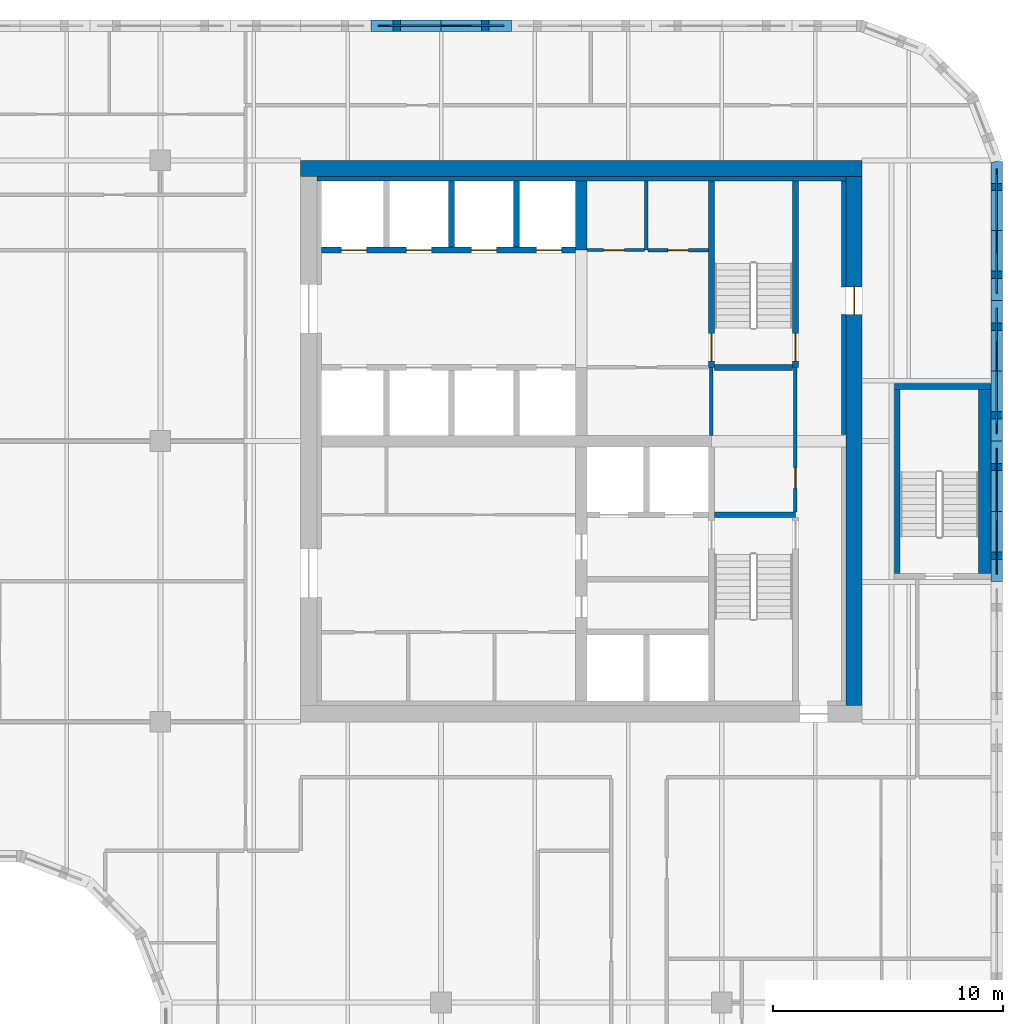
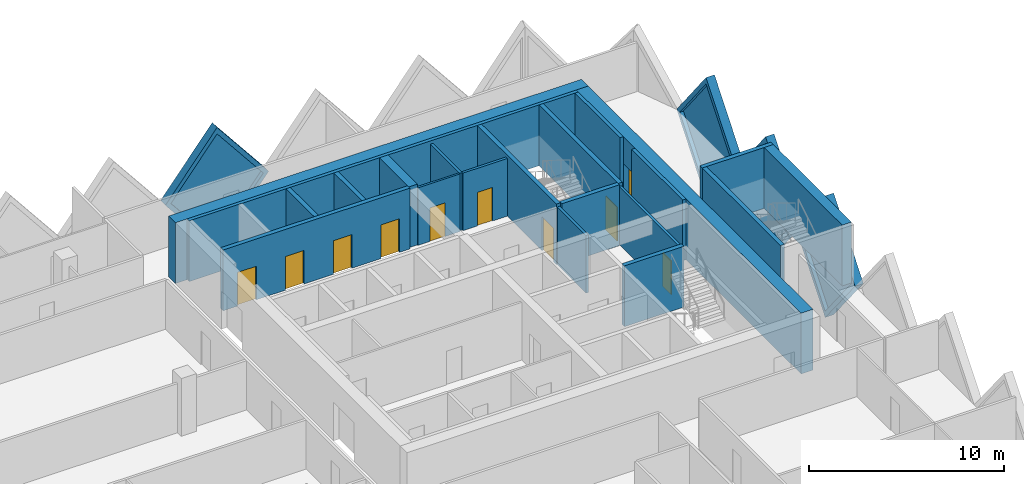
# One storey, part 9 of 12: 25 walls, 10 doors, 4 plates, 14 openings.
"""IFC4 building model written with IfcOpenShell, lengths in metres."""

import ifcopenshell
import ifcopenshell.guid

model = None  # the IFC model being written
_history = None  # IfcOwnerHistory: only IFC2X3 demands one
_inside = {}  # id of a spatial element -> (the spatial element, [elements in it])
_under = {}  # id of a project, library or spatial element -> (it, [spatial elements below it])
_declared = {}  # id of a project -> (the project, [libraries it declares])
_typed = {}  # id of a type object -> (the type object, [elements of that type])
_made_of = {}  # id of a material, layer set ... -> (it, [elements and type objects made of it])


def new_model(schema):
    """Start an empty IFC model of exactly this schema.

    Asked for "IFC4X3", IfcOpenShell would pick the latest addendum, in which some entities
    have other attributes; the version numbers below select the first issue.
    IFC2X3 requires an IfcOwnerHistory on every rooted entity: one is made here for all.
    """
    global model, _history
    if schema == "IFC4X3":
        model = ifcopenshell.file(schema_version=(4, 3, 0, 0))
    else:
        model = ifcopenshell.file(schema=schema)
    _inside.clear()
    _under.clear()
    _declared.clear()
    _typed.clear()
    _made_of.clear()
    _history = None
    if model.schema == "IFC2X3":
        org = make("IfcOrganization", Name="unknown")
        user = make(
            "IfcPersonAndOrganization",
            ThePerson=make("IfcPerson", FamilyName="unknown"),
            TheOrganization=org,
        )
        app = make(
            "IfcApplication",
            ApplicationDeveloper=org,
            Version="unknown",
            ApplicationFullName="unknown",
            ApplicationIdentifier="unknown",
        )
        _history = make(
            "IfcOwnerHistory",
            OwningUser=user,
            OwningApplication=app,
            ChangeAction="ADDED",
            CreationDate=0,
        )
    return model


def make(cls, **values):
    """One entity of the class cls with the attributes given. An attribute that is None is left unset."""
    return model.create_entity(
        cls, **{name: value for name, value in values.items() if value is not None}
    )


def rooted(cls, **values):
    """An entity with a GlobalId (a new one), such as an element, a storey or a relation."""
    return make(cls, GlobalId=ifcopenshell.guid.new(), OwnerHistory=_history, **values)


def si_unit(unit_type, name, prefix=None):
    """IfcSIUnit, for example si_unit("LENGTHUNIT", "METRE", prefix="MILLI")."""
    return make("IfcSIUnit", UnitType=unit_type, Prefix=prefix, Name=name)


def assignment(units):
    """IfcUnitAssignment: the units of a project."""
    return None if units is None else make("IfcUnitAssignment", Units=units)


def point(xyz):
    """IfcCartesianPoint."""
    return None if xyz is None else make("IfcCartesianPoint", Coordinates=xyz)


def direction(xyz):
    """IfcDirection."""
    return None if xyz is None else make("IfcDirection", DirectionRatios=xyz)


def frame(location, z_axis=None, x_axis=None):
    """IfcAxis2Placement3D, a coordinate frame: its origin and axes. An axis left out is left unset."""
    return make(
        "IfcAxis2Placement3D",
        Location=point(location),
        Axis=direction(z_axis),
        RefDirection=direction(x_axis),
    )


def frame_2d(location, x_axis=None):
    """IfcAxis2Placement2D, a coordinate frame in the plane: its origin and x axis."""
    return make(
        "IfcAxis2Placement2D", Location=point(location), RefDirection=direction(x_axis)
    )


def origin():
    """The frame at (0, 0, 0) with its axes left unset."""
    return frame((0.0, 0.0, 0.0))


def place(relative_to, where):
    """IfcLocalPlacement: puts the frame where relative to a parent placement (None: the world)."""
    return make(
        "IfcLocalPlacement", PlacementRelTo=relative_to, RelativePlacement=where
    )


def context(
    kind, dimensions, precision=None, world=None, true_north=None, identifier=None
):
    """IfcGeometricRepresentationContext, for example the 3D "Model" context."""
    return make(
        "IfcGeometricRepresentationContext",
        ContextIdentifier=identifier,
        ContextType=kind,
        CoordinateSpaceDimension=dimensions,
        Precision=precision,
        WorldCoordinateSystem=world,
        TrueNorth=true_north,
    )


def subcontext(parent, identifier, kind, view, scale=None):
    """IfcGeometricRepresentationSubContext, for example "Body" below "Model"."""
    return make(
        "IfcGeometricRepresentationSubContext",
        ContextIdentifier=identifier,
        ContextType=kind,
        ParentContext=parent,
        TargetScale=scale,
        TargetView=view,
    )


def project(units=None, contexts=None):
    """IfcProject with its units and contexts."""
    return rooted(
        "IfcProject",
        Name="project",
        RepresentationContexts=contexts,
        UnitsInContext=assignment(units),
    )


def spatial(cls, under=None, at=None, **own):
    """A site, building, storey or space (cls), placed at a placement, below another one or the project."""
    s = rooted(cls, ObjectPlacement=at, **own)
    if under is not None:
        _under.setdefault(under.id(), (under, []))[1].append(s)
    return s


def polyline(points):
    """IfcPolyline through the points."""
    return make("IfcPolyline", Points=[point(p) for p in points])


def profile(cls, at=None, kind="AREA", **sizes):
    """A parametric profile (cls). Its sizes go by their IFC names, for example OverallWidth=200.0."""
    return make(cls, ProfileType=kind, Position=at, **sizes)


def rectangle(**sizes):
    """IfcRectangleProfileDef."""
    return profile("IfcRectangleProfileDef", **sizes)


def outline(outer, holes=None, kind="AREA"):
    """IfcArbitraryClosedProfileDef: a profile drawn as a closed curve; with holes, ...WithVoids."""
    if holes is None:
        return make("IfcArbitraryClosedProfileDef", ProfileType=kind, OuterCurve=outer)
    return make(
        "IfcArbitraryProfileDefWithVoids",
        ProfileType=kind,
        OuterCurve=outer,
        InnerCurves=holes,
    )


def extrude(swept, where, along, depth):
    """IfcExtrudedAreaSolid: the profile swept, set in the frame where, extruded along a direction by depth."""
    return make(
        "IfcExtrudedAreaSolid",
        SweptArea=swept,
        Position=where,
        ExtrudedDirection=direction(along),
        Depth=depth,
    )


def faces_of(points, faces, orient=None, outer=None):
    """IfcFace entities. A face is a list of loops; a loop is a list of indices into points, from 0.

    orient and outer hold one flag for each loop. By default every Orientation is true, the
    first loop of a face is its IfcFaceOuterBound and the others are IfcFaceBound.
    """
    made = []
    for i, loops in enumerate(faces):
        bounds = []
        for j, loop in enumerate(loops):
            is_outer = j == 0 if outer is None else outer[i][j]
            bounds.append(
                make(
                    "IfcFaceOuterBound" if is_outer else "IfcFaceBound",
                    Bound=make("IfcPolyLoop", Polygon=[points[k] for k in loop]),
                    Orientation=True if orient is None else orient[i][j],
                )
            )
        made.append(make("IfcFace", Bounds=bounds))
    return made


def faceted_brep(points, faces, orient=None, outer=None, voids=None):
    """IfcFacetedBrep: a solid bounded by flat faces; with voids (closed shells), ...WithVoids."""
    shared = [point(p) for p in points]
    hull = make("IfcClosedShell", CfsFaces=faces_of(shared, faces, orient, outer))
    if voids is None:
        return make("IfcFacetedBrep", Outer=hull)
    return make(
        "IfcFacetedBrepWithVoids",
        Outer=hull,
        Voids=[
            make(cls, CfsFaces=faces_of(shared, fs, o, b)) for cls, fs, o, b in voids
        ],
    )


def shape(context_of_items, identifier, shape_type, items):
    """IfcShapeRepresentation: the items that make up one representation, for example the "Body"."""
    return make(
        "IfcShapeRepresentation",
        ContextOfItems=context_of_items,
        RepresentationIdentifier=identifier,
        RepresentationType=shape_type,
        Items=items,
    )


def source(mapping_origin, context_of_items, identifier, shape_type, items):
    """IfcRepresentationMap: a shape defined once, which mapped items show again and again."""
    return make(
        "IfcRepresentationMap",
        MappingOrigin=mapping_origin,
        MappedRepresentation=shape(context_of_items, identifier, shape_type, items),
    )


def transform(
    local_origin,
    x_axis=None,
    y_axis=None,
    z_axis=None,
    scale=None,
    scale2=None,
    scale3=None,
    uniform=True,
):
    """IfcCartesianTransformationOperator3D, or its non-uniform kind. x_axis, y_axis, z_axis: its Axis1, 2, 3."""
    if uniform:
        return make(
            "IfcCartesianTransformationOperator3D",
            Axis1=direction(x_axis),
            Axis2=direction(y_axis),
            LocalOrigin=point(local_origin),
            Scale=scale,
            Axis3=direction(z_axis),
        )
    return make(
        "IfcCartesianTransformationOperator3DnonUniform",
        Axis1=direction(x_axis),
        Axis2=direction(y_axis),
        LocalOrigin=point(local_origin),
        Scale=scale,
        Axis3=direction(z_axis),
        Scale2=scale2,
        Scale3=scale3,
    )


def mapped(mapping_source, mapping_target):
    """IfcMappedItem: shows the shape of a source again, moved by a transform."""
    return make(
        "IfcMappedItem", MappingSource=mapping_source, MappingTarget=mapping_target
    )


def material(Name=None, Category=None):
    """IfcMaterial."""
    return make("IfcMaterial", Name=Name, Category=Category)


def layer(
    of_material, thickness, ventilated=None, Name=None, Category=None, Priority=None
):
    """IfcMaterialLayer: one layer of a wall or slab, of a material (None: an air gap)."""
    return make(
        "IfcMaterialLayer",
        Material=of_material,
        LayerThickness=thickness,
        IsVentilated=ventilated,
        Name=Name,
        Category=Category,
        Priority=Priority,
    )


def layer_set(layers, Name=None):
    """IfcMaterialLayerSet."""
    return make("IfcMaterialLayerSet", MaterialLayers=layers, LayerSetName=Name)


def made_of(thing, what):
    """Note that an element or type object is made of a material, layer set ...; save() writes the relation."""
    if what is not None:
        _made_of.setdefault(what.id(), (what, []))[1].append(thing)
    return thing


def type_object(cls, material=None, **own):
    """A type object (cls), such as IfcWallType, which elements share."""
    return made_of(rooted(cls, **own), material)


def element(
    cls,
    number,
    at=None,
    inside=None,
    cuts=None,
    type_object=None,
    material=None,
    context=None,
    identifier="Body",
    shape_type=None,
    held_by="IfcProductDefinitionShape",
    body=None,
    shapes=None,
    **own,
):
    """One element of the class cls, such as IfcWall. Its Tag is "e" and its number.

    at: its placement. inside: the storey or other place that contains it. cuts: it is an
    opening in that element (IfcRelVoidsElement). A single representation is given by context,
    identifier, shape_type and body (its items); several are given by shapes. held_by: the class
    of the entity that holds the representations. save() writes the other relations.
    """
    e = rooted(cls, Tag="e%d" % number, ObjectPlacement=at, **own)
    if body is not None:
        shapes = [shape(context, identifier, shape_type, body)]
    if shapes is not None:
        e.Representation = make(held_by, Representations=shapes)
    if inside is not None:
        _inside.setdefault(inside.id(), (inside, []))[1].append(e)
    if cuts is not None:
        rooted(
            "IfcRelVoidsElement", RelatingBuildingElement=cuts, RelatedOpeningElement=e
        )
    if type_object is not None:
        _typed.setdefault(type_object.id(), (type_object, []))[1].append(e)
    return made_of(e, material)


def fill(opening, filler):
    """IfcRelFillsElement: the door or window that sits in an opening."""
    return rooted(
        "IfcRelFillsElement",
        RelatingOpeningElement=opening,
        RelatedBuildingElement=filler,
    )


def aggregate(whole, parts):
    """IfcRelAggregates: a whole, such as a stair, and the parts it consists of."""
    return rooted("IfcRelAggregates", RelatingObject=whole, RelatedObjects=parts)


def save(model, path):
    """Write the relations noted so far, then the file.

    IfcRelAggregates (storeys below a building ...), IfcRelContainedInSpatialStructure (elements
    in a storey), IfcRelDefinesByType, IfcRelAssociatesMaterial and IfcRelDeclares: one each for
    every whole, place, type object, material and project.
    """
    for whole, parts in _under.values():
        aggregate(whole, parts)
    for where, things in _inside.values():
        rooted(
            "IfcRelContainedInSpatialStructure",
            RelatedElements=things,
            RelatingStructure=where,
        )
    for kind, things in _typed.values():
        rooted("IfcRelDefinesByType", RelatedObjects=things, RelatingType=kind)
    for what, things in _made_of.values():
        rooted("IfcRelAssociatesMaterial", RelatedObjects=things, RelatingMaterial=what)
    for by, libraries in _declared.values():
        rooted("IfcRelDeclares", RelatingContext=by, RelatedDefinitions=libraries)
    model.write(path)


model = new_model("IFC4")

# Units and contexts
model_context = context("Model", 3, precision=1e-05, world=origin(), true_north=direction((0.0, 1.0)))
body_context = subcontext(model_context, "Body", "Model", "MODEL_VIEW")
ifc_project = project(units=[si_unit("LENGTHUNIT", "METRE"), si_unit("AREAUNIT", "SQUARE_METRE"), si_unit("VOLUMEUNIT", "CUBIC_METRE"), si_unit("PLANEANGLEUNIT", "RADIAN"), si_unit("MASSUNIT", "GRAM", prefix="KILO")], contexts=[model_context])

# Site, building, storey
site_placement = place(None, origin())
site = spatial("IfcSite", under=ifc_project, at=site_placement, CompositionType="ELEMENT")
building_placement = place(site_placement, origin())
building = spatial("IfcBuilding", under=site, at=building_placement, Name="Tessera Gate Towers", CompositionType="ELEMENT")
storey_placement = place(building_placement, frame((0.0, 0.0, 143.0)))
storey = spatial("IfcBuildingStorey", under=building, at=storey_placement, Name="L35", CompositionType="ELEMENT", Elevation=143.0)

# Wall, openings, doors
ifc_material_1 = material(Name="Concrete C40/50", Category="concrete")
ifc_layer_1 = layer(ifc_material_1, 0.25)
ifc_layer_set_1 = layer_set([ifc_layer_1], Name="CORE ENCLOSURE WALL 250")
wall_type_1 = type_object("IfcWallType", Name="CORE ENCLOSURE WALL 250", PredefinedType="SOLIDWALL", material=ifc_layer_set_1)
wall_1_placement = place(storey_placement, frame((42.449951171875, 44.89990234375, 0.0), z_axis=(0.0, 0.0, 1.0), x_axis=(-1.0, 0.0, 0.0)))
wall_1 = element("IfcWall", 1, at=wall_1_placement, inside=storey, type_object=wall_type_1, Name="L35 shaft and stair enclosure wall", PredefinedType="SOLIDWALL", context=body_context, shape_type="SweptSolid", body=[
    extrude(rectangle(XDim=11.050048828125, YDim=0.25, at=frame_2d((5.52490234375, 0.0))), origin(), (0.0, 0.0, 1.0), 3.800048828125),
])
shared_shape_1 = source(origin(), body_context, "Body", "SweptSolid", [
    extrude(rectangle(XDim=1.10009765625, YDim=2.10009765625, at=frame_2d((0.550048828125, 1.050048828125))), frame((0.0, 0.135009765625, 0.0), z_axis=(0.0, -1.0, 0.0), x_axis=(1.0, 0.0, 0.0)), (0.0, 0.0, 1.0), 0.27001953125),
])
opening_1_placement = place(wall_1_placement, frame((9.08740234375, 0.0, 0.0)))
opening_1 = element("IfcOpeningElement", 2, at=opening_1_placement, cuts=wall_1, Name="Opening LD-HR5", PredefinedType="OPENING", context=body_context, shape_type="MappedRepresentation", body=[
    mapped(shared_shape_1, transform((0.0, 0.0, 0.0), scale=1.0)),
])
opening_2_placement = place(wall_1_placement, frame((6.262451171875, 0.0, 0.0)))
opening_2 = element("IfcOpeningElement", 3, at=opening_2_placement, cuts=wall_1, Name="Opening LD-HR6", PredefinedType="OPENING", context=body_context, shape_type="MappedRepresentation", body=[
    mapped(shared_shape_1, transform((0.0, 0.0, 0.0), scale=1.0)),
])
opening_3_placement = place(wall_1_placement, frame((3.4375, 0.0, 0.0)))
opening_3 = element("IfcOpeningElement", 4, at=opening_3_placement, cuts=wall_1, Name="Opening LD-HR7", PredefinedType="OPENING", context=body_context, shape_type="MappedRepresentation", body=[
    mapped(shared_shape_1, transform((0.0, 0.0, 0.0), scale=1.0)),
])
opening_4_placement = place(wall_1_placement, frame((0.612548828125, 0.0, 0.0)))
opening_4 = element("IfcOpeningElement", 5, at=opening_4_placement, cuts=wall_1, Name="Opening LD-HR8", PredefinedType="OPENING", context=body_context, shape_type="MappedRepresentation", body=[
    mapped(shared_shape_1, transform((0.0, 0.0, 0.0), scale=1.0)),
])
ifc_material_2 = material(Name="Stainless steel", Category="steel")
door_type_1 = type_object("IfcDoorType", Name="CORE DOOR LD 1100x2100", OperationType="DOUBLE_DOOR_SLIDING", PredefinedType="DOOR", material=ifc_material_2)
shared_shape_2 = source(origin(), body_context, "Body", "SweptSolid", [
    extrude(rectangle(XDim=1.10009765625, YDim=2.10009765625, at=frame_2d((0.550048828125, 1.050048828125))), frame((0.0, 0.02490234375, 0.0), z_axis=(0.0, -1.0, 0.0), x_axis=(1.0, 0.0, 0.0)), (0.0, 0.0, 1.0), 0.050048828125),
])
door_1_placement = place(opening_1_placement, origin())
door_1 = element("IfcDoor", 6, at=door_1_placement, inside=storey, type_object=door_type_1, Name="Landing door HR5 L35", OperationType="DOUBLE_DOOR_SLIDING", OverallHeight=2.10009765625, OverallWidth=1.10009765625, PredefinedType="DOOR", context=body_context, shape_type="MappedRepresentation", body=[
    mapped(shared_shape_2, transform((0.0, 0.0, 0.0), scale=1.0)),
])
fill(opening_1, door_1)
door_2_placement = place(opening_2_placement, origin())
door_2 = element("IfcDoor", 7, at=door_2_placement, inside=storey, type_object=door_type_1, Name="Landing door HR6 L35", OperationType="DOUBLE_DOOR_SLIDING", OverallHeight=2.10009765625, OverallWidth=1.10009765625, PredefinedType="DOOR", context=body_context, shape_type="MappedRepresentation", body=[
    mapped(shared_shape_2, transform((0.0, 0.0, 0.0), scale=1.0)),
])
fill(opening_2, door_2)
door_3_placement = place(opening_3_placement, origin())
door_3 = element("IfcDoor", 8, at=door_3_placement, inside=storey, type_object=door_type_1, Name="Landing door HR7 L35", OperationType="DOUBLE_DOOR_SLIDING", OverallHeight=2.10009765625, OverallWidth=1.10009765625, PredefinedType="DOOR", context=body_context, shape_type="MappedRepresentation", body=[
    mapped(shared_shape_2, transform((0.0, 0.0, 0.0), scale=1.0)),
])
fill(opening_3, door_3)
door_4_placement = place(opening_4_placement, origin())
door_4 = element("IfcDoor", 9, at=door_4_placement, inside=storey, type_object=door_type_1, Name="Landing door HR8 L35", OperationType="DOUBLE_DOOR_SLIDING", OverallHeight=2.10009765625, OverallWidth=1.10009765625, PredefinedType="DOOR", context=body_context, shape_type="MappedRepresentation", body=[
    mapped(shared_shape_2, transform((0.0, 0.0, 0.0), scale=1.0)),
])
fill(opening_4, door_4)

# Wall
wall_2_placement = place(storey_placement, frame((48.47509765625, 33.39990234375, 0.0), z_axis=(0.0, 0.0, 1.0), x_axis=(1.0, 0.0, 0.0)))
element("IfcWall", 10, at=wall_2_placement, inside=storey, type_object=wall_type_1, Name="L35 shaft and stair enclosure wall", PredefinedType="SOLIDWALL", context=body_context, shape_type="SweptSolid", body=[
    extrude(rectangle(XDim=3.52490234375, YDim=0.25, at=frame_2d((1.762451171875, 0.0))), origin(), (0.0, 0.0, 1.0), 3.800048828125),
])

# Wall, opening, door
wall_3_placement = place(storey_placement, frame((48.35009765625, 47.89990234375, 0.0), z_axis=(0.0, 0.0, 1.0), x_axis=(0.0, -1.0, 0.0)))
wall_3 = element("IfcWall", 11, at=wall_3_placement, inside=storey, type_object=wall_type_1, Name="L35 shaft and stair enclosure wall", PredefinedType="SOLIDWALL", context=body_context, shape_type="SweptSolid", body=[
    extrude(rectangle(XDim=8.099853515625, YDim=0.25, at=frame_2d((4.0498046875, 0.0))), origin(), (0.0, 0.0, 1.0), 3.800048828125),
])
shared_shape_3 = source(origin(), body_context, "Body", "SweptSolid", [
    extrude(rectangle(XDim=1.199951171875, YDim=2.10009765625, at=frame_2d((0.60009765625, 1.050048828125))), frame((0.0, 0.135009765625, 0.0), z_axis=(0.0, -1.0, 0.0), x_axis=(1.0, 0.0, 0.0)), (0.0, 0.0, 1.0), 0.27001953125),
])
opening_5_placement = place(wall_3_placement, frame((6.625, 0.0, 0.0)))
opening_5 = element("IfcOpeningElement", 12, at=opening_5_placement, cuts=wall_3, Name="Opening SD-ST2-1", PredefinedType="OPENING", context=body_context, shape_type="MappedRepresentation", body=[
    mapped(shared_shape_3, transform((0.0, 0.0, 0.0), scale=1.0)),
])
ifc_material_3 = material(Name="Hollow steel fire door", Category="steel")
door_type_2 = type_object("IfcDoorType", Name="CORE DOOR SD 1200x2100", OperationType="NOTDEFINED", PredefinedType="DOOR", material=ifc_material_3)
shared_shape_4 = source(origin(), body_context, "Body", "SweptSolid", [
    extrude(rectangle(XDim=1.199951171875, YDim=2.10009765625, at=frame_2d((0.60009765625, 1.050048828125))), frame((0.0, 0.02490234375, 0.0), z_axis=(0.0, -1.0, 0.0), x_axis=(1.0, 0.0, 0.0)), (0.0, 0.0, 1.0), 0.050048828125),
])
door_5_placement = place(opening_5_placement, origin())
door_5 = element("IfcDoor", 13, at=door_5_placement, inside=storey, type_object=door_type_2, Name="Stair door", OperationType="SINGLE_SWING_RIGHT", OverallHeight=2.10009765625, OverallWidth=1.199951171875, PredefinedType="DOOR", context=body_context, shape_type="MappedRepresentation", body=[
    mapped(shared_shape_4, transform((0.0, 0.0, 0.0), scale=1.0)),
])
fill(opening_5, door_5)

wall_4_placement = place(storey_placement, frame((52.0, 39.800048828125, 0.0), z_axis=(0.0, 0.0, 1.0), x_axis=(0.0, 1.0, 0.0)))
wall_4 = element("IfcWall", 14, at=wall_4_placement, inside=storey, type_object=wall_type_1, Name="L35 shaft and stair enclosure wall", PredefinedType="SOLIDWALL", context=body_context, shape_type="SweptSolid", body=[
    extrude(rectangle(XDim=8.099853515625, YDim=0.25, at=frame_2d((4.0498046875, 0.0))), origin(), (0.0, 0.0, 1.0), 3.800048828125),
])
opening_6_placement = place(wall_4_placement, frame((0.27490234375, 0.0, 0.0)))
opening_6 = element("IfcOpeningElement", 15, at=opening_6_placement, cuts=wall_4, Name="Opening SD-ST2-2", PredefinedType="OPENING", context=body_context, shape_type="MappedRepresentation", body=[
    mapped(shared_shape_3, transform((0.0, 0.0, 0.0), scale=1.0)),
])
door_6_placement = place(opening_6_placement, origin())
door_6 = element("IfcDoor", 16, at=door_6_placement, inside=storey, type_object=door_type_2, Name="Stair door", OperationType="SINGLE_SWING_LEFT", OverallHeight=2.10009765625, OverallWidth=1.199951171875, PredefinedType="DOOR", context=body_context, shape_type="MappedRepresentation", body=[
    mapped(shared_shape_4, transform((0.0, 0.0, 0.0), scale=1.0)),
])
fill(opening_6, door_6)

# Walls
wall_5_placement = place(storey_placement, frame((48.47509765625, 39.800048828125, 0.0), z_axis=(0.0, 0.0, 1.0), x_axis=(1.0, 0.0, 0.0)))
element("IfcWall", 17, at=wall_5_placement, inside=storey, type_object=wall_type_1, Name="L35 shaft and stair enclosure wall", PredefinedType="SOLIDWALL", context=body_context, shape_type="SweptSolid", body=[
    extrude(rectangle(XDim=3.39990234375, YDim=0.25, at=frame_2d((1.699951171875, 0.0))), origin(), (0.0, 0.0, 1.0), 3.800048828125),
])
for number, where, z_axis, x_axis, name in (
    (18, (37.050048828125, 45.02490234375, 0.0), (0.0, 0.0, 1.0), (0.0, 1.0, 0.0), "L35 shaft and stair enclosure wall"),
    (19, (39.875, 45.02490234375, 0.0), (0.0, 0.0, 1.0), (0.0, 1.0, 0.0), "L35 shaft and stair enclosure wall"),
):
    element("IfcWall", number, at=place(storey_placement, frame(where, z_axis=z_axis, x_axis=x_axis)), inside=storey, type_object=wall_type_1, Name=name, PredefinedType="SOLIDWALL", context=body_context, shape_type="SweptSolid", body=[
        extrude(rectangle(XDim=2.875, YDim=0.25, at=frame_2d((1.4375, 0.0))), origin(), (0.0, 0.0, 1.0), 3.800048828125),
    ])
wall_6_placement = place(storey_placement, frame((56.425048828125, 30.85009765625, 0.0), z_axis=(0.0, 0.0, 1.0), x_axis=(0.0, 1.0, 0.0)))
element("IfcWall", 20, at=wall_6_placement, inside=storey, type_object=wall_type_1, Name="L35 ST5 enclosure wall", PredefinedType="SOLIDWALL", context=body_context, shape_type="SweptSolid", body=[
    extrude(rectangle(XDim=8.0, YDim=0.25, at=frame_2d((4.0, 0.0))), origin(), (0.0, 0.0, 1.0), 3.800048828125),
])
wall_7_placement = place(storey_placement, frame((56.300048828125, 38.97509765625, 0.0), z_axis=(0.0, 0.0, 1.0), x_axis=(1.0, 0.0, 0.0)))
element("IfcWall", 21, at=wall_7_placement, inside=storey, type_object=wall_type_1, Name="L35 ST5 enclosure wall", PredefinedType="SOLIDWALL", context=body_context, shape_type="SweptSolid", body=[
    extrude(rectangle(XDim=4.199951171875, YDim=0.25, at=frame_2d((2.10009765625, 0.0))), origin(), (0.0, 0.0, 1.0), 3.800048828125),
])
ifc_material_4 = material(Name="Concrete C40/50", Category="concrete")
ifc_layer_2 = layer(ifc_material_4, 0.550048828125)
ifc_layer_set_2 = layer_set([ifc_layer_2], Name="CORE ENCLOSURE WALL 550")
wall_type_2 = type_object("IfcWallType", Name="CORE ENCLOSURE WALL 550", PredefinedType="SOLIDWALL", material=ifc_layer_set_2)
wall_8_placement = place(storey_placement, frame((60.22509765625, 38.85009765625, 0.0), z_axis=(0.0, 0.0, 1.0), x_axis=(0.0, -1.0, 0.0)))
element("IfcWall", 22, at=wall_8_placement, inside=storey, type_object=wall_type_2, Name="L35 ST5 enclosure wall", PredefinedType="SOLIDWALL", context=body_context, shape_type="SweptSolid", body=[
    extrude(rectangle(XDim=8.0, YDim=0.550048828125, at=frame_2d((4.0, 0.0))), origin(), (0.0, 0.0, 1.0), 3.800048828125),
])

# Wall, opening, door
ifc_material_5 = material(Name="Gypsum board on steel studs", Category="steel")
ifc_layer_3 = layer(ifc_material_5, 0.1201171875)
ifc_layer_set_3 = layer_set([ifc_layer_3], Name="CORE PARTITION 120")
wall_type_3 = type_object("IfcWallType", Name="CORE PARTITION 120", PredefinedType="PARTITIONING", material=ifc_layer_set_3)
wall_9_placement = place(storey_placement, frame((42.949951171875, 44.89990234375, 0.0), z_axis=(0.0, 0.0, 1.0), x_axis=(1.0, 0.0, 0.0)))
wall_9 = element("IfcWall", 23, at=wall_9_placement, inside=storey, type_object=wall_type_3, Name="L35 core partition", PredefinedType="PARTITIONING", context=body_context, shape_type="SweptSolid", body=[
    extrude(rectangle(XDim=2.5, YDim=0.1201171875, at=frame_2d((1.25, 0.0))), origin(), (0.0, 0.0, 1.0), 3.60009765625),
])
shared_shape_5 = source(origin(), body_context, "Body", "SweptSolid", [
    extrude(rectangle(XDim=0.89990234375, YDim=2.10009765625, at=frame_2d((0.449951171875, 1.050048828125))), frame((0.0, 0.070068359375, 0.0), z_axis=(0.0, -1.0, 0.0), x_axis=(1.0, 0.0, 0.0)), (0.0, 0.0, 1.0), 0.14013671875),
])
opening_7_placement = place(wall_9_placement, frame((0.71240234375, 0.0, 0.0)))
opening_7 = element("IfcOpeningElement", 24, at=opening_7_placement, cuts=wall_9, Name="Opening RD-T1-23-14", PredefinedType="OPENING", context=body_context, shape_type="MappedRepresentation", body=[
    mapped(shared_shape_5, transform((0.0, 0.0, 0.0), scale=1.0)),
])
ifc_material_6 = material(Name="Hollow steel fire door", Category="steel")
door_type_3 = type_object("IfcDoorType", Name="CORE DOOR RD 900x2100", OperationType="NOTDEFINED", PredefinedType="DOOR", material=ifc_material_6)
shared_shape_6 = source(origin(), body_context, "Body", "SweptSolid", [
    extrude(rectangle(XDim=0.89990234375, YDim=2.10009765625, at=frame_2d((0.449951171875, 1.050048828125))), frame((0.0, 0.02490234375, 0.0), z_axis=(0.0, -1.0, 0.0), x_axis=(1.0, 0.0, 0.0)), (0.0, 0.0, 1.0), 0.050048828125),
])
door_7_placement = place(opening_7_placement, origin())
door_7 = element("IfcDoor", 25, at=door_7_placement, inside=storey, type_object=door_type_3, Name="Core room door", OperationType="SINGLE_SWING_LEFT", OverallHeight=2.10009765625, OverallWidth=0.89990234375, PredefinedType="DOOR", context=body_context, shape_type="MappedRepresentation", body=[
    mapped(shared_shape_6, transform((0.0, 0.0, 0.0), scale=1.0)),
])
fill(opening_7, door_7)

# Wall
ifc_material_7 = material(Name="Concrete C60/75", Category="concrete")
ifc_layer_4 = layer(ifc_material_7, 0.699951171875)
ifc_layer_set_4 = layer_set([ifc_layer_4], Name="CORE SHEAR WALL 700 C60/75")
wall_type_4 = type_object("IfcWallType", Name="CORE SHEAR WALL 700 C60/75", PredefinedType="SHEAR", material=ifc_layer_set_4)
wall_10_placement = place(storey_placement, frame((30.5, 48.449951171875, 0.0), z_axis=(0.0, 0.0, 1.0), x_axis=(1.0, 0.0, 0.0)))
element("IfcWall", 26, at=wall_10_placement, inside=storey, type_object=wall_type_4, Name="Core wall N L35", PredefinedType="SHEAR", context=body_context, shape_type="SweptSolid", body=[
    extrude(rectangle(XDim=24.39990234375, YDim=0.699951171875, at=frame_2d((12.199951171875, 0.0))), origin(), (0.0, 0.0, 1.0), 3.800048828125),
])

# Wall, opening, door
wall_11_placement = place(storey_placement, frame((54.550048828125, 48.10009765625, 0.0), z_axis=(0.0, 0.0, 1.0), x_axis=(0.0, -1.0, 0.0)))
wall_11 = element("IfcWall", 27, at=wall_11_placement, inside=storey, type_object=wall_type_4, Name="Core wall E L35", PredefinedType="SHEAR", context=body_context, shape_type="SweptSolid", body=[
    extrude(rectangle(XDim=23.0, YDim=0.699951171875, at=frame_2d((11.5, 0.0))), origin(), (0.0, 0.0, 1.0), 3.800048828125),
])
shared_shape_7 = source(origin(), body_context, "Body", "SweptSolid", [
    extrude(rectangle(XDim=1.199951171875, YDim=2.10009765625, at=frame_2d((0.60009765625, 1.050048828125))), frame((0.0, 0.35986328125, 0.0), z_axis=(0.0, -1.0, 0.0), x_axis=(1.0, 0.0, 0.0)), (0.0, 0.0, 1.0), 0.719970703125),
])
opening_8_placement = place(wall_11_placement, frame((4.800048828125, 0.0, 0.0)))
opening_8 = element("IfcOpeningElement", 28, at=opening_8_placement, cuts=wall_11, Name="Opening ED-T1-23-04", PredefinedType="OPENING", context=body_context, shape_type="MappedRepresentation", body=[
    mapped(shared_shape_7, transform((0.0, 0.0, 0.0), scale=1.0)),
])
ifc_material_8 = material(Name="Hollow steel fire door", Category="steel")
door_type_4 = type_object("IfcDoorType", Name="CORE DOOR ED 1200x2100", OperationType="NOTDEFINED", PredefinedType="DOOR", material=ifc_material_8)
door_8_placement = place(opening_8_placement, origin())
door_8 = element("IfcDoor", 29, at=door_8_placement, inside=storey, type_object=door_type_4, Name="Core exit door", OperationType="SINGLE_SWING_LEFT", OverallHeight=2.10009765625, OverallWidth=1.199951171875, PredefinedType="DOOR", context=body_context, shape_type="MappedRepresentation", body=[
    mapped(shared_shape_4, transform((0.0, 0.0, 0.0), scale=1.0)),
])
fill(opening_8, door_8)

# Walls
ifc_material_9 = material(Name="Concrete C60/75", Category="concrete")
ifc_layer_5 = layer(ifc_material_9, 0.5)
ifc_layer_set_5 = layer_set([ifc_layer_5], Name="CORE SPINE WALL 500 C60/75")
wall_type_5 = type_object("IfcWallType", Name="CORE SPINE WALL 500 C60/75", PredefinedType="SHEAR", material=ifc_layer_set_5)
wall_12_placement = place(storey_placement, frame((42.699951171875, 44.89990234375, 0.0), z_axis=(0.0, 0.0, 1.0), x_axis=(0.0, 1.0, 0.0)))
element("IfcWall", 30, at=wall_12_placement, inside=storey, type_object=wall_type_5, Name="Core wall spine L35", PredefinedType="SHEAR", context=body_context, shape_type="SweptSolid", body=[
    extrude(rectangle(XDim=3.0, YDim=0.5, at=frame_2d((1.5, 0.0))), origin(), (0.0, 0.0, 1.0), 3.800048828125),
])
ifc_material_10 = material(Name="Concrete C60/75", Category="concrete")
ifc_layer_6 = layer(ifc_material_10, 0.199951171875)
ifc_layer_set_6 = layer_set([ifc_layer_6], Name="CORE WALL THICKENING 200")
wall_type_6 = type_object("IfcWallType", Name="CORE WALL THICKENING 200", PredefinedType="SOLIDWALL", material=ifc_layer_set_6)
wall_13_placement = place(storey_placement, frame((31.199951171875, 48.0, 0.0), z_axis=(0.0, 0.0, 1.0), x_axis=(1.0, 0.0, 0.0)))
element("IfcWall", 31, at=wall_13_placement, inside=storey, type_object=wall_type_6, Name="Core wall thickening N L35", PredefinedType="SOLIDWALL", context=body_context, shape_type="SweptSolid", body=[
    extrude(rectangle(XDim=23.0, YDim=0.199951171875, at=frame_2d((11.5, 0.0))), origin(), (0.0, 0.0, 1.0), 3.800048828125),
])
wall_14_placement = place(storey_placement, frame((54.10009765625, 36.8798828125, 0.0), z_axis=(0.0, 0.0, 1.0), x_axis=(0.0, 1.0, 0.0)))
element("IfcWall", 32, at=wall_14_placement, inside=storey, type_object=wall_type_6, Name="Core wall thickening E L35", PredefinedType="SOLIDWALL", context=body_context, shape_type="SweptSolid", body=[
    extrude(rectangle(XDim=5.22021484375, YDim=0.199951171875, at=frame_2d((2.610107421875, 0.0))), origin(), (0.0, 0.0, 1.0), 3.800048828125),
])
wall_15_placement = place(storey_placement, frame((54.10009765625, 43.300048828125, 0.0), z_axis=(0.0, 0.0, 1.0), x_axis=(0.0, 1.0, 0.0)))
element("IfcWall", 33, at=wall_15_placement, inside=storey, type_object=wall_type_6, Name="Core wall thickening E L35", PredefinedType="SOLIDWALL", context=body_context, shape_type="SweptSolid", body=[
    extrude(rectangle(XDim=4.599853515625, YDim=0.199951171875, at=frame_2d((2.2998046875, 0.0))), origin(), (0.0, 0.0, 1.0), 3.800048828125),
])

# Wall, opening, door
ifc_material_11 = material(Name="Gypsum board on steel studs", Category="steel")
ifc_layer_7 = layer(ifc_material_11, 0.14990234375)
ifc_layer_set_7 = layer_set([ifc_layer_7], Name="SERVICE ROOM WALL 150")
wall_type_7 = type_object("IfcWallType", Name="SERVICE ROOM WALL 150", PredefinedType="PARTITIONING", material=ifc_layer_set_7)
wall_16_placement = place(storey_placement, frame((52.0, 33.52490234375, 0.0), z_axis=(0.0, 0.0, 1.0), x_axis=(0.0, 1.0, 0.0)))
wall_16 = element("IfcWall", 34, at=wall_16_placement, inside=storey, type_object=wall_type_7, Name="L35 service room wall", PredefinedType="PARTITIONING", context=body_context, shape_type="SweptSolid", body=[
    extrude(rectangle(XDim=6.275146484375, YDim=0.14990234375, at=frame_2d((3.1376953125, 0.0))), origin(), (0.0, 0.0, 1.0), 3.60009765625),
])
shared_shape_8 = source(origin(), body_context, "Body", "SweptSolid", [
    extrude(rectangle(XDim=0.89990234375, YDim=2.10009765625, at=frame_2d((0.449951171875, 1.050048828125))), frame((0.0, 0.0849609375, 0.0), z_axis=(0.0, -1.0, 0.0), x_axis=(1.0, 0.0, 0.0)), (0.0, 0.0, 1.0), 0.169921875),
])
opening_9_placement = place(wall_16_placement, frame((1.02490234375, 0.0, 0.0)))
opening_9 = element("IfcOpeningElement", 35, at=opening_9_placement, cuts=wall_16, Name="Opening RD-T1-23-11", PredefinedType="OPENING", context=body_context, shape_type="MappedRepresentation", body=[
    mapped(shared_shape_8, transform((0.0, 0.0, 0.0), scale=1.0)),
])
door_9_placement = place(opening_9_placement, origin())
door_9 = element("IfcDoor", 36, at=door_9_placement, inside=storey, type_object=door_type_3, Name="Core room door", OperationType="SINGLE_SWING_LEFT", OverallHeight=2.10009765625, OverallWidth=0.89990234375, PredefinedType="DOOR", context=body_context, shape_type="MappedRepresentation", body=[
    mapped(shared_shape_6, transform((0.0, 0.0, 0.0), scale=1.0)),
])
fill(opening_9, door_9)

# Walls
wall_17_placement = place(storey_placement, frame((48.35009765625, 36.85009765625, 0.0), z_axis=(0.0, 0.0, 1.0), x_axis=(0.0, 1.0, 0.0)))
element("IfcWall", 37, at=wall_17_placement, inside=storey, type_object=wall_type_7, Name="L35 service room wall", PredefinedType="PARTITIONING", context=body_context, shape_type="SweptSolid", body=[
    extrude(rectangle(XDim=2.949951171875, YDim=0.14990234375, at=frame_2d((1.47509765625, 0.0))), origin(), (0.0, 0.0, 1.0), 3.60009765625),
])
wall_18_placement = place(storey_placement, frame((45.52490234375, 44.89990234375, 0.0), z_axis=(0.0, 0.0, 1.0), x_axis=(0.0, 1.0, 0.0)))
element("IfcWall", 38, at=wall_18_placement, inside=storey, type_object=wall_type_7, Name="L35 service room wall", PredefinedType="PARTITIONING", context=body_context, shape_type="SweptSolid", body=[
    extrude(rectangle(XDim=3.0, YDim=0.14990234375, at=frame_2d((1.5, 0.0))), origin(), (0.0, 0.0, 1.0), 3.60009765625),
])

# Wall, opening, door
wall_19_placement = place(storey_placement, frame((45.60009765625, 44.89990234375, 0.0), z_axis=(0.0, 0.0, 1.0), x_axis=(1.0, 0.0, 0.0)))
wall_19 = element("IfcWall", 39, at=wall_19_placement, inside=storey, type_object=wall_type_7, Name="L35 service room wall", PredefinedType="PARTITIONING", context=body_context, shape_type="SweptSolid", body=[
    extrude(rectangle(XDim=2.625, YDim=0.14990234375, at=frame_2d((1.3125, 0.0))), origin(), (0.0, 0.0, 1.0), 3.60009765625),
])
opening_10_placement = place(wall_19_placement, frame((0.85009765625, 0.0, 0.0)))
opening_10 = element("IfcOpeningElement", 40, at=opening_10_placement, cuts=wall_19, Name="Opening RD-T1-23-15", PredefinedType="OPENING", context=body_context, shape_type="MappedRepresentation", body=[
    mapped(shared_shape_8, transform((0.0, 0.0, 0.0), scale=1.0)),
])
door_10_placement = place(opening_10_placement, origin())
door_10 = element("IfcDoor", 41, at=door_10_placement, inside=storey, type_object=door_type_3, Name="Core room door", OperationType="SINGLE_SWING_LEFT", OverallHeight=2.10009765625, OverallWidth=0.89990234375, PredefinedType="DOOR", context=body_context, shape_type="MappedRepresentation", body=[
    mapped(shared_shape_6, transform((0.0, 0.0, 0.0), scale=1.0)),
])
fill(opening_10, door_10)

# Wall, opening, plate
ifc_material_12 = material(Name="Precast concrete C60/75 white", Category="concrete")
ifc_layer_8 = layer(ifc_material_12, 0.5)
ifc_layer_set_8 = layer_set([ifc_layer_8], Name="TS1 tessera")
wall_type_8 = type_object("IfcWallType", Name="TS1 tessera", PredefinedType="SOLIDWALL", material=ifc_layer_set_8)
shared_shape_9 = source(origin(), body_context, "Body", "Brep", [
    faceted_brep([(3.050048828125, -0.25, 0.0), (6.099853515625, -0.25, 3.7998046875), (6.099853515625, -0.25, 3.80029296875), (3.050048828125, -0.25, 7.60009765625), (0.0, -0.25, 3.800048828125), (0.0, 0.25, 3.800048828125), (3.050048828125, 0.25, 7.60009765625), (6.099853515625, 0.25, 3.80029296875), (6.099853515625, 0.25, 3.7998046875), (3.050048828125, 0.25, 0.0)], [[[0, 1, 2, 3, 4]], [[5, 6, 7, 8, 9]], [[9, 8, 1, 0]], [[7, 6, 3, 2]], [[6, 5, 4, 3]], [[5, 9, 0, 4]], [[1, 8, 7, 2]]]),
])
wall_20_placement = place(storey_placement, frame((60.75, 36.60009765625, -3.800048828125), z_axis=(0.0, 0.0, 1.0), x_axis=(0.0, 1.0, 0.0)))
wall_20 = element("IfcWall", 42, at=wall_20_placement, inside=storey, type_object=wall_type_8, Name="Precast tessera T1 TS1-0606", PredefinedType="SOLIDWALL", context=body_context, shape_type="MappedRepresentation", body=[
    mapped(shared_shape_9, transform((0.0, 0.0, 0.0), scale=1.0)),
])
shared_shape_10 = source(origin(), body_context, "Body", "SweptSolid", [
    extrude(outline(polyline([(3.050048828125, 0.3994140625), (5.779541015625, 3.800048828125), (3.050048828125, 7.20068359375), (0.320556640625, 3.800048828125), (3.050048828125, 0.3994140625)])), frame((0.0, 0.260009765625, 0.0), z_axis=(0.0, -1.0, 0.0), x_axis=(1.0, 0.0, 0.0)), (0.0, 0.0, 1.0), 0.52001953125),
])
opening_11_placement = place(wall_20_placement, origin())
opening_11 = element("IfcOpeningElement", 43, at=opening_11_placement, cuts=wall_20, Name="Opening T1-PL2-1236", PredefinedType="OPENING", context=body_context, shape_type="MappedRepresentation", body=[
    mapped(shared_shape_10, transform((0.0, 0.0, 0.0), scale=1.0)),
])
ifc_material_13 = material(Name="Low-e laminated glass", Category="glass")
ifc_layer_9 = layer(ifc_material_13, 0.06005859375)
ifc_layer_set_9 = layer_set([ifc_layer_9], Name="PL2 rhombic pane")
plate_type = type_object("IfcPlateType", Name="PL2 rhombic pane", PredefinedType="SHEET", material=ifc_layer_set_9)
shared_shape_11 = source(origin(), body_context, "Body", "SweptSolid", [
    extrude(outline(polyline([(3.050048828125, 0.3994140625), (5.779541015625, 3.800048828125), (3.050048828125, 7.20068359375), (0.320556640625, 3.800048828125), (3.050048828125, 0.3994140625)])), frame((0.0, 0.030029296875, 0.0), z_axis=(0.0, -1.0, 0.0), x_axis=(1.0, 0.0, 0.0)), (0.0, 0.0, 1.0), 0.06005859375),
])
plate_1_placement = place(opening_11_placement, origin())
plate_1 = element("IfcPlate", 44, at=plate_1_placement, inside=storey, type_object=plate_type, Name="Glass pane T1 PL2-1236", PredefinedType="SHEET", context=body_context, shape_type="MappedRepresentation", body=[
    mapped(shared_shape_11, transform((0.0, 0.0, 0.0), scale=1.0)),
])
fill(opening_11, plate_1)

wall_21_placement = place(storey_placement, frame((39.64990234375, 54.64990234375, -3.800048828125), z_axis=(0.0, 0.0, 1.0), x_axis=(-1.0, 0.0, 0.0)))
wall_21 = element("IfcWall", 45, at=wall_21_placement, inside=storey, type_object=wall_type_8, Name="Precast tessera T1 TS1-0610", PredefinedType="SOLIDWALL", context=body_context, shape_type="MappedRepresentation", body=[
    mapped(shared_shape_9, transform((0.0, 0.0, 0.0), scale=1.0)),
])
opening_12_placement = place(wall_21_placement, origin())
opening_12 = element("IfcOpeningElement", 46, at=opening_12_placement, cuts=wall_21, Name="Opening T1-PL2-1244", PredefinedType="OPENING", context=body_context, shape_type="MappedRepresentation", body=[
    mapped(shared_shape_10, transform((0.0, 0.0, 0.0), scale=1.0)),
])
plate_2_placement = place(opening_12_placement, origin())
plate_2 = element("IfcPlate", 47, at=plate_2_placement, inside=storey, type_object=plate_type, Name="Glass pane T1 PL2-1244", PredefinedType="SHEET", context=body_context, shape_type="MappedRepresentation", body=[
    mapped(shared_shape_11, transform((0.0, 0.0, 0.0), scale=1.0)),
])
fill(opening_12, plate_2)

shared_shape_12 = source(origin(), body_context, "Body", "SweptSolid", [
    extrude(outline(polyline([(3.050048828125, 0.0), (6.10009765625, 3.800048828125), (3.050048828125, 7.60009765625), (0.0, 3.800048828125), (3.050048828125, 0.0)])), frame((0.0, 0.25, 0.0), z_axis=(0.0, -1.0, 0.0), x_axis=(1.0, 0.0, 0.0)), (0.0, 0.0, 1.0), 0.5),
])
wall_22_placement = place(storey_placement, frame((60.75, 30.5, -3.800048828125), z_axis=(0.0, 0.0, 1.0), x_axis=(0.0, 1.0, 0.0)))
wall_22 = element("IfcWall", 48, at=wall_22_placement, inside=storey, type_object=wall_type_8, Name="Precast tessera T1 TS1-0605", PredefinedType="SOLIDWALL", context=body_context, shape_type="MappedRepresentation", body=[
    mapped(shared_shape_12, transform((0.0, 0.0, 0.0), scale=1.0)),
])
opening_13_placement = place(wall_22_placement, origin())
opening_13 = element("IfcOpeningElement", 49, at=opening_13_placement, cuts=wall_22, Name="Opening T1-PL2-1235", PredefinedType="OPENING", context=body_context, shape_type="MappedRepresentation", body=[
    mapped(shared_shape_10, transform((0.0, 0.0, 0.0), scale=1.0)),
])
plate_3_placement = place(opening_13_placement, origin())
plate_3 = element("IfcPlate", 50, at=plate_3_placement, inside=storey, type_object=plate_type, Name="Glass pane T1 PL2-1235", PredefinedType="SHEET", context=body_context, shape_type="MappedRepresentation", body=[
    mapped(shared_shape_11, transform((0.0, 0.0, 0.0), scale=1.0)),
])
fill(opening_13, plate_3)

shared_shape_13 = source(origin(), body_context, "Body", "Brep", [
    faceted_brep([(3.050048828125, -0.25, 0.0), (6.053466796875, -0.25, 3.800048828125), (3.050048828125, -0.25, 7.60009765625), (0.0, -0.25, 3.800048828125), (0.0, 0.25, 3.800048828125), (3.050048828125, 0.25, 7.60009765625), (6.0068359375, 0.25, 3.85888671875), (6.0068359375, 0.25, 3.7412109375), (3.050048828125, 0.25, 0.0), (6.053466796875, 0.0, 3.800048828125)], [[[0, 1, 2, 3]], [[4, 5, 6, 7, 8]], [[8, 7, 9, 1, 0]], [[6, 5, 2, 1, 9]], [[5, 4, 3, 2]], [[4, 8, 0, 3]], [[9, 7, 6]]]),
])
wall_23_placement = place(storey_placement, frame((60.75, 42.699951171875, -3.800048828125), z_axis=(0.0, 0.0, 1.0), x_axis=(0.0, 1.0, 0.0)))
wall_23 = element("IfcWall", 51, at=wall_23_placement, inside=storey, type_object=wall_type_8, Name="Precast tessera T1 TS1-0607", PredefinedType="SOLIDWALL", context=body_context, shape_type="MappedRepresentation", body=[
    mapped(shared_shape_13, transform((0.0, 0.0, 0.0), scale=1.0)),
])
shared_shape_14 = source(origin(), body_context, "Body", "SweptSolid", [
    extrude(outline(polyline([(3.048583984375, 0.4013671875), (5.73486328125, 3.800048828125), (3.048583984375, 7.19873046875), (0.320556640625, 3.800048828125), (3.048583984375, 0.4013671875)])), frame((0.0, 0.260009765625, 0.0), z_axis=(0.0, -1.0, 0.0), x_axis=(1.0, 0.0, 0.0)), (0.0, 0.0, 1.0), 0.52001953125),
])
opening_14_placement = place(wall_23_placement, origin())
opening_14 = element("IfcOpeningElement", 52, at=opening_14_placement, cuts=wall_23, Name="Opening T1-PL2-1237", PredefinedType="OPENING", context=body_context, shape_type="MappedRepresentation", body=[
    mapped(shared_shape_14, transform((0.0, 0.0, 0.0), scale=1.0)),
])
shared_shape_15 = source(origin(), body_context, "Body", "SweptSolid", [
    extrude(outline(polyline([(3.048583984375, 0.4013671875), (5.73486328125, 3.800048828125), (3.048583984375, 7.19873046875), (0.320556640625, 3.800048828125), (3.048583984375, 0.4013671875)])), frame((0.0, 0.030029296875, 0.0), z_axis=(0.0, -1.0, 0.0), x_axis=(1.0, 0.0, 0.0)), (0.0, 0.0, 1.0), 0.06005859375),
])
plate_4_placement = place(opening_14_placement, origin())
plate_4 = element("IfcPlate", 53, at=plate_4_placement, inside=storey, type_object=plate_type, Name="Glass pane T1 PL2-1237", PredefinedType="SHEET", context=body_context, shape_type="MappedRepresentation", body=[
    mapped(shared_shape_15, transform((0.0, 0.0, 0.0), scale=1.0)),
])
fill(opening_14, plate_4)

save(model, "model.ifc")
